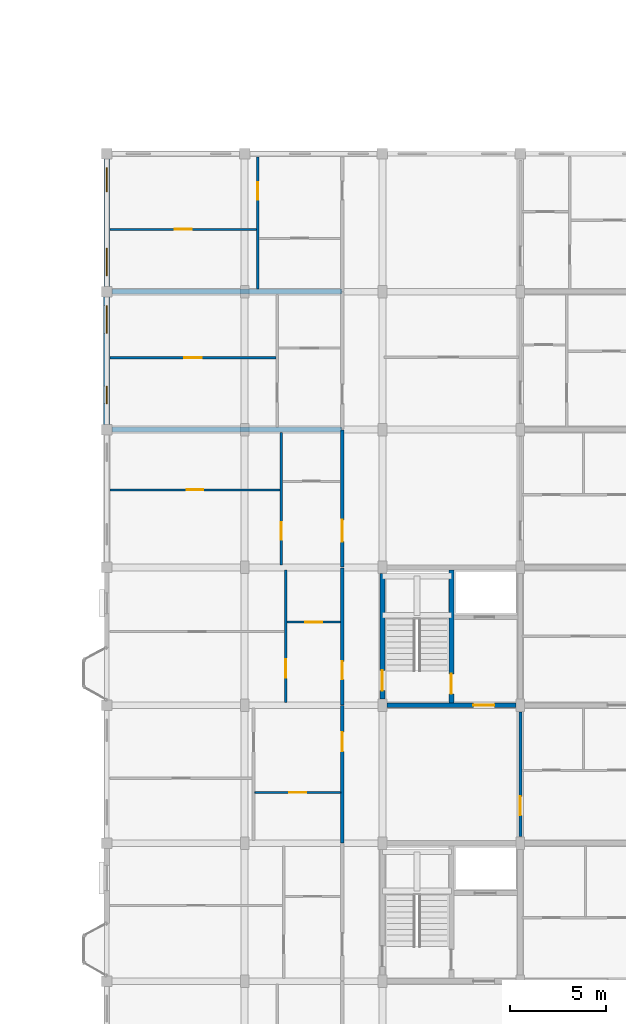
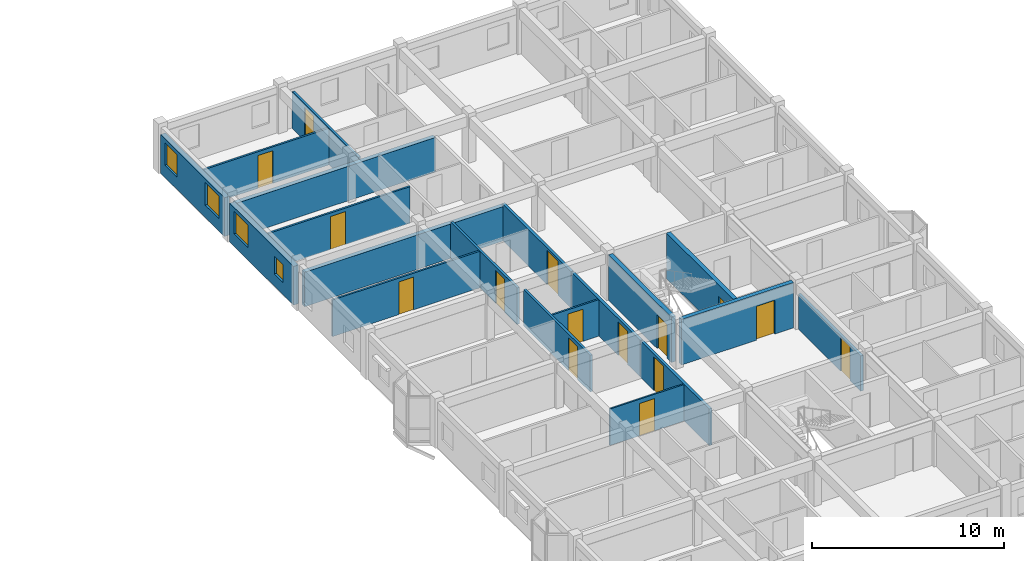
# One storey, part 62 of 77: 19 walls, 15 doors, 4 windows, 19 openings.
"""IFC4 building model written with IfcOpenShell, lengths in metres."""

from ifc_helpers import new_model, si_unit, direction, frame, frame_2d, origin, place, context, subcontext, project, spatial, rectangle, extrude, material, layer, layer_set, type_object, element, fill, save


model = new_model("IFC4")

# Units and contexts
model_context = context("Model", 3, precision=1e-05, world=origin(), true_north=direction((0.0, 1.0)))
body_context = subcontext(model_context, "Body", "Model", "MODEL_VIEW")
ifc_project = project(units=[si_unit("LENGTHUNIT", "METRE"), si_unit("AREAUNIT", "SQUARE_METRE"), si_unit("VOLUMEUNIT", "CUBIC_METRE"), si_unit("PLANEANGLEUNIT", "RADIAN"), si_unit("MASSUNIT", "GRAM", prefix="KILO"), si_unit("THERMODYNAMICTEMPERATUREUNIT", "KELVIN"), si_unit("POWERUNIT", "WATT")], contexts=[model_context])

# Site, building, storey
site_placement = place(None, origin())
site = spatial("IfcSite", under=ifc_project, at=site_placement, CompositionType="ELEMENT")
building_placement = place(site_placement, origin())
building = spatial("IfcBuilding", under=site, at=building_placement, Name="Tavuni Mirador Residences", CompositionType="ELEMENT")
storey_placement = place(building_placement, frame((0.0, 0.0, 10.800048828125)))
storey = spatial("IfcBuildingStorey", under=building, at=storey_placement, Name="L03", CompositionType="ELEMENT", Elevation=10.800048828125)

# Wall, opening, door
ifc_material_1 = material(Name="Precast concrete C40/50", Category="concrete")
ifc_layer_1 = layer(ifc_material_1, 0.25, Name="Precast concrete C40/50", Category="concrete")
ifc_layer_set_1 = layer_set([ifc_layer_1], Name="Precast concrete C40/50")
wall_type_1 = type_object("IfcWallType", Name="WT-COR250", PredefinedType="SHEAR", material=ifc_layer_set_1)
wall_1_placement = place(storey_placement, frame((104.39990234375, 108.324951171875, 0.0), z_axis=(0.0, 0.0, 1.0), x_axis=(0.0, 1.0, 0.0)))
wall_1 = element("IfcWall", 1, at=wall_1_placement, inside=storey, type_object=wall_type_1, Name="CWALL-C8-L03-W", PredefinedType="SHEAR", context=body_context, shape_type="SweptSolid", body=[
    extrude(rectangle(XDim=6.550048828125, YDim=0.25, at=frame_2d((3.27490234375, 0.0))), origin(), (0.0, 0.0, 1.0), 2.889892578125),
])
opening_1_placement = place(wall_1_placement, frame((0.449951171875, 0.0, 0.0)))
opening_1 = element("IfcOpeningElement", 2, at=opening_1_placement, cuts=wall_1, Name="Opening D-01", PredefinedType="OPENING", context=body_context, shape_type="SweptSolid", body=[
    extrude(rectangle(XDim=1.050048828125, YDim=2.14990234375, at=frame_2d((0.52490234375, 1.074951171875))), frame((0.0, 0.135009765625, 0.0), z_axis=(0.0, -1.0, 0.0), x_axis=(1.0, 0.0, 0.0)), (0.0, 0.0, 1.0), 0.27001953125),
])
ifc_material_2 = material(Name="Solid core iroko timber", Category="wood")
door_type_1 = type_object("IfcDoorType", Name="DT-ST1050", OperationType="NOTDEFINED", PredefinedType="DOOR", material=ifc_material_2)
door_1_placement = place(opening_1_placement, origin())
door_1 = element("IfcDoor", 3, at=door_1_placement, inside=storey, type_object=door_type_1, Name="DR-2325", OperationType="SINGLE_SWING_RIGHT", OverallHeight=2.14990234375, OverallWidth=1.050048828125, PredefinedType="DOOR", context=body_context, shape_type="SweptSolid", body=[
    extrude(rectangle(XDim=1.050048828125, YDim=2.14990234375, at=frame_2d((0.52490234375, 1.074951171875))), frame((0.0, 0.02490234375, 0.0), z_axis=(0.0, -1.0, 0.0), x_axis=(1.0, 0.0, 0.0)), (0.0, 0.0, 1.0), 0.050048828125),
])
fill(opening_1, door_1)

wall_2_placement = place(storey_placement, frame((104.625, 108.0, 0.0), z_axis=(0.0, 0.0, 1.0), x_axis=(1.0, 0.0, 0.0)))
wall_2 = element("IfcWall", 4, at=wall_2_placement, inside=storey, type_object=wall_type_1, Name="CWALL-C8-L03-SS", PredefinedType="SHEAR", context=body_context, shape_type="SweptSolid", body=[
    extrude(rectangle(XDim=6.75, YDim=0.25, at=frame_2d((3.375, 0.0))), origin(), (0.0, 0.0, 1.0), 2.889892578125),
])
opening_2_placement = place(wall_2_placement, frame((4.52490234375, 0.0, 0.0)))
opening_2 = element("IfcOpeningElement", 5, at=opening_2_placement, cuts=wall_2, Name="Opening D-02", PredefinedType="OPENING", context=body_context, shape_type="SweptSolid", body=[
    extrude(rectangle(XDim=1.10009765625, YDim=2.14990234375, at=frame_2d((0.550048828125, 1.074951171875))), frame((0.0, 0.135009765625, 0.0), z_axis=(0.0, -1.0, 0.0), x_axis=(1.0, 0.0, 0.0)), (0.0, 0.0, 1.0), 0.27001953125),
])
door_type_2 = type_object("IfcDoorType", Name="DT-LOB1100", OperationType="NOTDEFINED", PredefinedType="DOOR", material=ifc_material_2)
door_2_placement = place(opening_2_placement, frame((1.10009765625, 0.0, 0.0), z_axis=(0.0, 0.0, 1.0), x_axis=(-1.0, 0.0, 0.0)))
door_2 = element("IfcDoor", 6, at=door_2_placement, inside=storey, type_object=door_type_2, Name="DR-2326", OperationType="SINGLE_SWING_RIGHT", OverallHeight=2.14990234375, OverallWidth=1.10009765625, PredefinedType="DOOR", context=body_context, shape_type="SweptSolid", body=[
    extrude(rectangle(XDim=1.10009765625, YDim=2.14990234375, at=frame_2d((0.550048828125, 1.074951171875))), frame((0.0, 0.02490234375, 0.0), z_axis=(0.0, -1.0, 0.0), x_axis=(1.0, 0.0, 0.0)), (0.0, 0.0, 1.0), 0.050048828125),
])
fill(opening_2, door_2)

wall_3_placement = place(storey_placement, frame((108.0, 108.125, 0.0), z_axis=(0.0, 0.0, 1.0), x_axis=(0.0, 1.0, 0.0)))
wall_3 = element("IfcWall", 7, at=wall_3_placement, inside=storey, type_object=wall_type_1, Name="CWALL-C8-L03-MID", PredefinedType="SHEAR", context=body_context, shape_type="SweptSolid", body=[
    extrude(rectangle(XDim=6.949951171875, YDim=0.25, at=frame_2d((3.47509765625, 0.0))), origin(), (0.0, 0.0, 1.0), 2.889892578125),
])
opening_3_placement = place(wall_3_placement, frame((0.47509765625, 0.0, 0.0)))
opening_3 = element("IfcOpeningElement", 8, at=opening_3_placement, cuts=wall_3, Name="Opening D-01", PredefinedType="OPENING", context=body_context, shape_type="SweptSolid", body=[
    extrude(rectangle(XDim=1.050048828125, YDim=2.14990234375, at=frame_2d((0.52490234375, 1.074951171875))), frame((0.0, 0.135009765625, 0.0), z_axis=(0.0, -1.0, 0.0), x_axis=(1.0, 0.0, 0.0)), (0.0, 0.0, 1.0), 0.27001953125),
])
door_3_placement = place(opening_3_placement, origin())
door_3 = element("IfcDoor", 9, at=door_3_placement, inside=storey, type_object=door_type_1, Name="DR-2327", OperationType="SINGLE_SWING_LEFT", OverallHeight=2.14990234375, OverallWidth=1.050048828125, PredefinedType="DOOR", context=body_context, shape_type="SweptSolid", body=[
    extrude(rectangle(XDim=1.050048828125, YDim=2.14990234375, at=frame_2d((0.52490234375, 1.074951171875))), frame((0.0, 0.02490234375, 0.0), z_axis=(0.0, -1.0, 0.0), x_axis=(1.0, 0.0, 0.0)), (0.0, 0.0, 1.0), 0.050048828125),
])
fill(opening_3, door_3)

ifc_layer_2 = layer(ifc_material_1, 0.1650390625, Name="Precast concrete C40/50", Category="concrete")
ifc_layer_set_2 = layer_set([ifc_layer_2], Name="Precast concrete C40/50")
wall_type_2 = type_object("IfcWallType", Name="WT-CORR165", PredefinedType="PARTITIONING", material=ifc_layer_set_2)
wall_4_placement = place(storey_placement, frame((102.300048828125, 100.820068359375, 0.0), z_axis=(0.0, 0.0, 1.0), x_axis=(0.0, 1.0, 0.0)))
wall_4 = element("IfcWall", 10, at=wall_4_placement, inside=storey, type_object=wall_type_2, Name="CORW-BLK-D-L03-0-02", PredefinedType="PARTITIONING", context=body_context, shape_type="SweptSolid", body=[
    extrude(rectangle(XDim=7.159912109375, YDim=0.1650390625, at=frame_2d((3.580078125, 0.0))), origin(), (0.0, 0.0, 1.0), 2.324951171875),
])
opening_4_placement = place(wall_4_placement, frame((4.780029296875, 0.0, 0.0)))
opening_4 = element("IfcOpeningElement", 11, at=opening_4_placement, cuts=wall_4, Name="Opening D-03", PredefinedType="OPENING", context=body_context, shape_type="SweptSolid", body=[
    extrude(rectangle(XDim=1.0, YDim=2.14990234375, at=frame_2d((0.5, 1.074951171875))), frame((0.0, 0.092529296875, 0.0), z_axis=(0.0, -1.0, 0.0), x_axis=(1.0, 0.0, 0.0)), (0.0, 0.0, 1.0), 0.18505859375),
])
door_type_3 = type_object("IfcDoorType", Name="DT-FD60-1000", OperationType="NOTDEFINED", PredefinedType="DOOR", material=ifc_material_2)
door_4_placement = place(opening_4_placement, origin())
door_4 = element("IfcDoor", 12, at=door_4_placement, inside=storey, type_object=door_type_3, Name="DR-2847", OperationType="SINGLE_SWING_RIGHT", OverallHeight=2.14990234375, OverallWidth=1.0, PredefinedType="DOOR", context=body_context, shape_type="SweptSolid", body=[
    extrude(rectangle(XDim=1.0, YDim=2.14990234375, at=frame_2d((0.5, 1.074951171875))), frame((0.0, 0.02490234375, 0.0), z_axis=(0.0, -1.0, 0.0), x_axis=(1.0, 0.0, 0.0)), (0.0, 0.0, 1.0), 0.050048828125),
])
fill(opening_4, door_4)

wall_5_placement = place(storey_placement, frame((102.300048828125, 108.02001953125, 0.0), z_axis=(0.0, 0.0, 1.0), x_axis=(0.0, 1.0, 0.0)))
wall_5 = element("IfcWall", 13, at=wall_5_placement, inside=storey, type_object=wall_type_2, Name="CORW-BLK-D-L03-0-03", PredefinedType="PARTITIONING", context=body_context, shape_type="SweptSolid", body=[
    extrude(rectangle(XDim=7.159912109375, YDim=0.1650390625, at=frame_2d((3.580078125, 0.0))), origin(), (0.0, 0.0, 1.0), 2.324951171875),
])
opening_5_placement = place(wall_5_placement, frame((1.330078125, 0.0, 0.0)))
opening_5 = element("IfcOpeningElement", 14, at=opening_5_placement, cuts=wall_5, Name="Opening D-19", PredefinedType="OPENING", context=body_context, shape_type="SweptSolid", body=[
    extrude(rectangle(XDim=0.93994140625, YDim=2.1201171875, at=frame_2d((0.469970703125, 1.06005859375))), frame((0.0, 0.092529296875, 0.0), z_axis=(0.0, -1.0, 0.0), x_axis=(1.0, 0.0, 0.0)), (0.0, 0.0, 1.0), 0.18505859375),
])
door_type_4 = type_object("IfcDoorType", Name="DT-FD60-940", OperationType="NOTDEFINED", PredefinedType="DOOR", material=ifc_material_2)
door_5_placement = place(opening_5_placement, origin())
door_5 = element("IfcDoor", 15, at=door_5_placement, inside=storey, type_object=door_type_4, Name="DR-2848", OperationType="SINGLE_SWING_LEFT", OverallHeight=2.1201171875, OverallWidth=0.93994140625, PredefinedType="DOOR", context=body_context, shape_type="SweptSolid", body=[
    extrude(rectangle(XDim=0.93994140625, YDim=2.1201171875, at=frame_2d((0.469970703125, 1.06005859375))), frame((0.0, 0.02490234375, 0.0), z_axis=(0.0, -1.0, 0.0), x_axis=(1.0, 0.0, 0.0)), (0.0, 0.0, 1.0), 0.050048828125),
])
fill(opening_5, door_5)

wall_6_placement = place(storey_placement, frame((102.300048828125, 115.219970703125, 0.0), z_axis=(0.0, 0.0, 1.0), x_axis=(0.0, 1.0, 0.0)))
wall_6 = element("IfcWall", 16, at=wall_6_placement, inside=storey, type_object=wall_type_2, Name="CORW-BLK-D-L03-0-04", PredefinedType="PARTITIONING", context=body_context, shape_type="SweptSolid", body=[
    extrude(rectangle(XDim=7.159912109375, YDim=0.1650390625, at=frame_2d((3.580078125, 0.0))), origin(), (0.0, 0.0, 1.0), 2.324951171875),
])
opening_6_placement = place(wall_6_placement, frame((1.330078125, 0.0, 0.0)))
opening_6 = element("IfcOpeningElement", 17, at=opening_6_placement, cuts=wall_6, Name="Opening D-20", PredefinedType="OPENING", context=body_context, shape_type="SweptSolid", body=[
    extrude(rectangle(XDim=1.139892578125, YDim=2.179931640625, at=frame_2d((0.56982421875, 1.08984375))), frame((0.0, 0.092529296875, 0.0), z_axis=(0.0, -1.0, 0.0), x_axis=(1.0, 0.0, 0.0)), (0.0, 0.0, 1.0), 0.18505859375),
])
door_type_5 = type_object("IfcDoorType", Name="DT-FD60-1140", OperationType="NOTDEFINED", PredefinedType="DOOR", material=ifc_material_2)
door_6_placement = place(opening_6_placement, origin())
door_6 = element("IfcDoor", 18, at=door_6_placement, inside=storey, type_object=door_type_5, Name="DR-2849", OperationType="SINGLE_SWING_RIGHT", OverallHeight=2.179931640625, OverallWidth=1.139892578125, PredefinedType="DOOR", context=body_context, shape_type="SweptSolid", body=[
    extrude(rectangle(XDim=1.139892578125, YDim=2.179931640625, at=frame_2d((0.56982421875, 1.08984375))), frame((0.0, 0.02490234375, 0.0), z_axis=(0.0, -1.0, 0.0), x_axis=(1.0, 0.0, 0.0)), (0.0, 0.0, 1.0), 0.050048828125),
])
fill(opening_6, door_6)

wall_7_placement = place(storey_placement, frame((111.60009765625, 101.14990234375, 0.0), z_axis=(0.0, 0.0, 1.0), x_axis=(0.0, 1.0, 0.0)))
wall_7 = element("IfcWall", 19, at=wall_7_placement, inside=storey, type_object=wall_type_2, Name="CORW-BLK-D-L03-1-02", PredefinedType="PARTITIONING", context=body_context, shape_type="SweptSolid", body=[
    extrude(rectangle(XDim=6.5, YDim=0.1650390625, at=frame_2d((3.25, 0.0))), origin(), (0.0, 0.0, 1.0), 2.239990234375),
])
opening_7_placement = place(wall_7_placement, frame((1.10009765625, 0.0, 0.0)))
opening_7 = element("IfcOpeningElement", 20, at=opening_7_placement, cuts=wall_7, Name="Opening D-03", PredefinedType="OPENING", context=body_context, shape_type="SweptSolid", body=[
    extrude(rectangle(XDim=1.0, YDim=2.14990234375, at=frame_2d((0.5, 1.074951171875))), frame((0.0, 0.092529296875, 0.0), z_axis=(0.0, -1.0, 0.0), x_axis=(1.0, 0.0, 0.0)), (0.0, 0.0, 1.0), 0.18505859375),
])
door_7_placement = place(opening_7_placement, origin())
door_7 = element("IfcDoor", 21, at=door_7_placement, inside=storey, type_object=door_type_3, Name="DR-2853", OperationType="SINGLE_SWING_RIGHT", OverallHeight=2.14990234375, OverallWidth=1.0, PredefinedType="DOOR", context=body_context, shape_type="SweptSolid", body=[
    extrude(rectangle(XDim=1.0, YDim=2.14990234375, at=frame_2d((0.5, 1.074951171875))), frame((0.0, 0.02490234375, 0.0), z_axis=(0.0, -1.0, 0.0), x_axis=(1.0, 0.0, 0.0)), (0.0, 0.0, 1.0), 0.050048828125),
])
fill(opening_7, door_7)

# Wall, openings, windows
ifc_material_3 = material(Name="Sgraffito lime-rendered precast concrete C40/50", Category="concrete")
ifc_layer_3 = layer(ifc_material_3, 0.304931640625, Name="Sgraffito lime-rendered precast concrete C40/50", Category="concrete")
ifc_layer_set_3 = layer_set([ifc_layer_3], Name="Sgraffito lime-rendered precast concrete C40/50")
wall_type_3 = type_object("IfcWallType", Name="WT-EXT-PC305", PredefinedType="SOLIDWALL", material=ifc_layer_set_3)
wall_8_placement = place(storey_placement, frame((90.0, 136.52490234375, 0.0), z_axis=(0.0, 0.0, 1.0), x_axis=(0.0, -1.0, 0.0)))
wall_8 = element("IfcWall", 22, at=wall_8_placement, inside=storey, type_object=wall_type_3, Name="EW-BLK-D-L03-W06", PredefinedType="SOLIDWALL", context=body_context, shape_type="SweptSolid", body=[
    extrude(rectangle(XDim=6.64990234375, YDim=0.304931640625, at=frame_2d((3.324951171875, 0.0))), origin(), (0.0, 0.0, 1.0), 2.4599609375),
])
opening_8_placement = place(wall_8_placement, frame((0.449951171875, 0.0, 0.780029296875)))
opening_8 = element("IfcOpeningElement", 23, at=opening_8_placement, cuts=wall_8, Name="Opening WN-28", PredefinedType="OPENING", context=body_context, shape_type="SweptSolid", body=[
    extrude(rectangle(XDim=1.25, YDim=1.43994140625, at=frame_2d((0.625, 0.719970703125))), frame((0.0, 0.16259765625, 0.0), z_axis=(0.0, -1.0, 0.0), x_axis=(1.0, 0.0, 0.0)), (0.0, 0.0, 1.0), 0.324951171875),
])
opening_9_placement = place(wall_8_placement, frame((4.64990234375, 0.0, 0.780029296875)))
opening_9 = element("IfcOpeningElement", 24, at=opening_9_placement, cuts=wall_8, Name="Opening WN-30", PredefinedType="OPENING", context=body_context, shape_type="SweptSolid", body=[
    extrude(rectangle(XDim=1.449951171875, YDim=1.43994140625, at=frame_2d((0.72509765625, 0.719970703125))), frame((0.0, 0.16259765625, 0.0), z_axis=(0.0, -1.0, 0.0), x_axis=(1.0, 0.0, 0.0)), (0.0, 0.0, 1.0), 0.324951171875),
])
ifc_material_4 = material(Name="Laminated solar-control glass", Category="glass")
window_type_1 = type_object("IfcWindowType", Name="WNT-28", PartitioningType="SINGLE_PANEL", PredefinedType="WINDOW", material=ifc_material_4)
window_1_placement = place(opening_8_placement, origin())
window_1 = element("IfcWindow", 25, at=window_1_placement, inside=storey, type_object=window_type_1, Name="WIN-1554", OverallHeight=1.43994140625, OverallWidth=1.25, PartitioningType="SINGLE_PANEL", PredefinedType="WINDOW", context=body_context, shape_type="SweptSolid", body=[
    extrude(rectangle(XDim=1.25, YDim=1.43994140625, at=frame_2d((0.625, 0.719970703125))), frame((0.0, 0.030029296875, 0.0), z_axis=(0.0, -1.0, 0.0), x_axis=(1.0, 0.0, 0.0)), (0.0, 0.0, 1.0), 0.06005859375),
])
fill(opening_8, window_1)
window_type_2 = type_object("IfcWindowType", Name="WNT-30", PartitioningType="SINGLE_PANEL", PredefinedType="WINDOW", material=ifc_material_4)
window_2_placement = place(opening_9_placement, origin())
window_2 = element("IfcWindow", 26, at=window_2_placement, inside=storey, type_object=window_type_2, Name="WIN-1555", OverallHeight=1.43994140625, OverallWidth=1.449951171875, PartitioningType="SINGLE_PANEL", PredefinedType="WINDOW", context=body_context, shape_type="SweptSolid", body=[
    extrude(rectangle(XDim=1.449951171875, YDim=1.43994140625, at=frame_2d((0.72509765625, 0.719970703125))), frame((0.0, 0.030029296875, 0.0), z_axis=(0.0, -1.0, 0.0), x_axis=(1.0, 0.0, 0.0)), (0.0, 0.0, 1.0), 0.06005859375),
])
fill(opening_9, window_2)

ifc_layer_4 = layer(ifc_material_3, 0.31494140625, Name="Sgraffito lime-rendered precast concrete C40/50", Category="concrete")
ifc_layer_set_4 = layer_set([ifc_layer_4], Name="Sgraffito lime-rendered precast concrete C40/50")
wall_type_4 = type_object("IfcWallType", Name="WT-EXT-PC315", PredefinedType="SOLIDWALL", material=ifc_layer_set_4)
wall_9_placement = place(storey_placement, frame((90.0, 129.324951171875, 0.0), z_axis=(0.0, 0.0, 1.0), x_axis=(0.0, -1.0, 0.0)))
wall_9 = element("IfcWall", 27, at=wall_9_placement, inside=storey, type_object=wall_type_4, Name="EW-BLK-D-L03-W05", PredefinedType="SOLIDWALL", context=body_context, shape_type="SweptSolid", body=[
    extrude(rectangle(XDim=6.64990234375, YDim=0.31494140625, at=frame_2d((3.324951171875, 0.0))), origin(), (0.0, 0.0, 1.0), 2.4599609375),
])
opening_10_placement = place(wall_9_placement, frame((0.449951171875, 0.0, 0.780029296875)))
opening_10 = element("IfcOpeningElement", 28, at=opening_10_placement, cuts=wall_9, Name="Opening WN-30", PredefinedType="OPENING", context=body_context, shape_type="SweptSolid", body=[
    extrude(rectangle(XDim=1.449951171875, YDim=1.43994140625, at=frame_2d((0.72509765625, 0.719970703125))), frame((0.0, 0.16748046875, 0.0), z_axis=(0.0, -1.0, 0.0), x_axis=(1.0, 0.0, 0.0)), (0.0, 0.0, 1.0), 0.3349609375),
])
opening_11_placement = place(wall_9_placement, frame((4.64990234375, 0.0, 0.780029296875)))
opening_11 = element("IfcOpeningElement", 29, at=opening_11_placement, cuts=wall_9, Name="Opening WN-02", PredefinedType="OPENING", context=body_context, shape_type="SweptSolid", body=[
    extrude(rectangle(XDim=0.919921875, YDim=1.14990234375, at=frame_2d((0.4599609375, 0.574951171875))), frame((0.0, 0.16748046875, 0.0), z_axis=(0.0, -1.0, 0.0), x_axis=(1.0, 0.0, 0.0)), (0.0, 0.0, 1.0), 0.3349609375),
])
window_type_3 = type_object("IfcWindowType", Name="WNT-02", PartitioningType="SINGLE_PANEL", PredefinedType="WINDOW", material=ifc_material_4)
window_3_placement = place(opening_11_placement, origin())
window_3 = element("IfcWindow", 30, at=window_3_placement, inside=storey, type_object=window_type_3, Name="WIN-1557", OverallHeight=1.14990234375, OverallWidth=0.919921875, PartitioningType="SINGLE_PANEL", PredefinedType="WINDOW", context=body_context, shape_type="SweptSolid", body=[
    extrude(rectangle(XDim=0.919921875, YDim=1.14990234375, at=frame_2d((0.4599609375, 0.574951171875))), frame((0.0, 0.030029296875, 0.0), z_axis=(0.0, -1.0, 0.0), x_axis=(1.0, 0.0, 0.0)), (0.0, 0.0, 1.0), 0.06005859375),
])
fill(opening_11, window_3)
window_4_placement = place(opening_10_placement, origin())
window_4 = element("IfcWindow", 31, at=window_4_placement, inside=storey, type_object=window_type_2, Name="WIN-1556", OverallHeight=1.43994140625, OverallWidth=1.449951171875, PartitioningType="SINGLE_PANEL", PredefinedType="WINDOW", context=body_context, shape_type="SweptSolid", body=[
    extrude(rectangle(XDim=1.449951171875, YDim=1.43994140625, at=frame_2d((0.72509765625, 0.719970703125))), frame((0.0, 0.030029296875, 0.0), z_axis=(0.0, -1.0, 0.0), x_axis=(1.0, 0.0, 0.0)), (0.0, 0.0, 1.0), 0.06005859375),
])
fill(opening_10, window_4)

# Wall, opening, door
ifc_material_5 = material(Name="Acoustic gypsum and concrete block partition", Category="concrete")
ifc_layer_5 = layer(ifc_material_5, 0.094970703125, Name="Acoustic gypsum and concrete block partition", Category="concrete")
ifc_layer_set_5 = layer_set([ifc_layer_5], Name="Acoustic gypsum and concrete block partition")
wall_type_5 = type_object("IfcWallType", Name="WT-PART095", PredefinedType="PARTITIONING", material=ifc_layer_set_5)
wall_10_placement = place(storey_placement, frame((97.739990234375, 103.449951171875, 0.0), z_axis=(0.0, 0.0, 1.0), x_axis=(1.0, 0.0, 0.0)))
wall_10 = element("IfcWall", 32, at=wall_10_placement, inside=storey, type_object=wall_type_5, Name="PW-BLK-D-L03-W02-IN1", PredefinedType="PARTITIONING", context=body_context, shape_type="SweptSolid", body=[
    extrude(rectangle(XDim=4.469970703125, YDim=0.094970703125, at=frame_2d((2.23486328125, 0.0))), origin(), (0.0, 0.0, 1.0), 2.324951171875),
])
opening_12_placement = place(wall_10_placement, frame((1.784912109375, 0.0, 0.0)))
opening_12 = element("IfcOpeningElement", 33, at=opening_12_placement, cuts=wall_10, Name="Opening D-09", PredefinedType="OPENING", context=body_context, shape_type="SweptSolid", body=[
    extrude(rectangle(XDim=0.89990234375, YDim=2.050048828125, at=frame_2d((0.449951171875, 1.02490234375))), frame((0.0, 0.0576171875, 0.0), z_axis=(0.0, -1.0, 0.0), x_axis=(1.0, 0.0, 0.0)), (0.0, 0.0, 1.0), 0.114990234375),
])
door_type_6 = type_object("IfcDoorType", Name="DT-WC900", OperationType="NOTDEFINED", PredefinedType="DOOR", material=ifc_material_2)
door_8_placement = place(opening_12_placement, origin())
door_8 = element("IfcDoor", 34, at=door_8_placement, inside=storey, type_object=door_type_6, Name="DR-4404", OperationType="SINGLE_SWING_RIGHT", OverallHeight=2.050048828125, OverallWidth=0.89990234375, PredefinedType="DOOR", context=body_context, shape_type="SweptSolid", body=[
    extrude(rectangle(XDim=0.89990234375, YDim=2.050048828125, at=frame_2d((0.449951171875, 1.02490234375))), frame((0.0, 0.02490234375, 0.0), z_axis=(0.0, -1.0, 0.0), x_axis=(1.0, 0.0, 0.0)), (0.0, 0.0, 1.0), 0.050048828125),
])
fill(opening_12, door_8)

ifc_layer_6 = layer(ifc_material_5, 0.10498046875, Name="Acoustic gypsum and concrete block partition", Category="concrete")
ifc_layer_set_6 = layer_set([ifc_layer_6], Name="Acoustic gypsum and concrete block partition")
wall_type_6 = type_object("IfcWallType", Name="WT-PART105", PredefinedType="PARTITIONING", material=ifc_layer_set_6)
wall_11_placement = place(storey_placement, frame((99.419921875, 112.35009765625, 0.0), z_axis=(0.0, 0.0, 1.0), x_axis=(1.0, 0.0, 0.0)))
wall_11 = element("IfcWall", 35, at=wall_11_placement, inside=storey, type_object=wall_type_6, Name="PW-BLK-D-L03-W03-IN1", PredefinedType="PARTITIONING", context=body_context, shape_type="SweptSolid", body=[
    extrude(rectangle(XDim=2.7900390625, YDim=0.10498046875, at=frame_2d((1.39501953125, 0.0))), origin(), (0.0, 0.0, 1.0), 2.324951171875),
])
opening_13_placement = place(wall_11_placement, frame((0.945068359375, 0.0, 0.0)))
opening_13 = element("IfcOpeningElement", 36, at=opening_13_placement, cuts=wall_11, Name="Opening D-09", PredefinedType="OPENING", context=body_context, shape_type="SweptSolid", body=[
    extrude(rectangle(XDim=0.89990234375, YDim=2.050048828125, at=frame_2d((0.449951171875, 1.02490234375))), frame((0.0, 0.0625, 0.0), z_axis=(0.0, -1.0, 0.0), x_axis=(1.0, 0.0, 0.0)), (0.0, 0.0, 1.0), 0.125),
])
door_9_placement = place(opening_13_placement, origin())
door_9 = element("IfcDoor", 37, at=door_9_placement, inside=storey, type_object=door_type_6, Name="DR-4409", OperationType="SINGLE_SWING_RIGHT", OverallHeight=2.050048828125, OverallWidth=0.89990234375, PredefinedType="DOOR", context=body_context, shape_type="SweptSolid", body=[
    extrude(rectangle(XDim=0.89990234375, YDim=2.050048828125, at=frame_2d((0.449951171875, 1.02490234375))), frame((0.0, 0.02490234375, 0.0), z_axis=(0.0, -1.0, 0.0), x_axis=(1.0, 0.0, 0.0)), (0.0, 0.0, 1.0), 0.050048828125),
])
fill(opening_13, door_9)

ifc_layer_7 = layer(ifc_material_5, 0.114990234375, Name="Acoustic gypsum and concrete block partition", Category="concrete")
ifc_layer_set_7 = layer_set([ifc_layer_7], Name="Acoustic gypsum and concrete block partition")
wall_type_7 = type_object("IfcWallType", Name="WT-PART115", PredefinedType="PARTITIONING", material=ifc_layer_set_7)
wall_12_placement = place(storey_placement, frame((90.175048828125, 119.25, 0.0), z_axis=(0.0, 0.0, 1.0), x_axis=(1.0, 0.0, 0.0)))
wall_12 = element("IfcWall", 38, at=wall_12_placement, inside=storey, type_object=wall_type_7, Name="PW-BLK-D-L03-W04-OUT", PredefinedType="PARTITIONING", context=body_context, shape_type="SweptSolid", body=[
    extrude(rectangle(XDim=8.875, YDim=0.114990234375, at=frame_2d((4.4375, 0.0))), origin(), (0.0, 0.0, 1.0), 2.324951171875),
])
opening_14_placement = place(wall_12_placement, frame((3.99755859375, 0.0, 0.0)))
opening_14 = element("IfcOpeningElement", 39, at=opening_14_placement, cuts=wall_12, Name="Opening D-08", PredefinedType="OPENING", context=body_context, shape_type="SweptSolid", body=[
    extrude(rectangle(XDim=0.8798828125, YDim=2.080078125, at=frame_2d((0.43994140625, 1.0400390625))), frame((0.0, 0.0673828125, 0.0), z_axis=(0.0, -1.0, 0.0), x_axis=(1.0, 0.0, 0.0)), (0.0, 0.0, 1.0), 0.135009765625),
])
door_type_7 = type_object("IfcDoorType", Name="DT-BED880", OperationType="NOTDEFINED", PredefinedType="DOOR", material=ifc_material_2)
door_10_placement = place(opening_14_placement, origin())
door_10 = element("IfcDoor", 40, at=door_10_placement, inside=storey, type_object=door_type_7, Name="DR-4412", OperationType="SINGLE_SWING_RIGHT", OverallHeight=2.080078125, OverallWidth=0.8798828125, PredefinedType="DOOR", context=body_context, shape_type="SweptSolid", body=[
    extrude(rectangle(XDim=0.8798828125, YDim=2.080078125, at=frame_2d((0.43994140625, 1.0400390625))), frame((0.0, 0.02490234375, 0.0), z_axis=(0.0, -1.0, 0.0), x_axis=(1.0, 0.0, 0.0)), (0.0, 0.0, 1.0), 0.050048828125),
])
fill(opening_14, door_10)

wall_13_placement = place(storey_placement, frame((90.175048828125, 126.14990234375, 0.0), z_axis=(0.0, 0.0, 1.0), x_axis=(1.0, 0.0, 0.0)))
wall_13 = element("IfcWall", 41, at=wall_13_placement, inside=storey, type_object=wall_type_7, Name="PW-BLK-D-L03-W05-OUT", PredefinedType="PARTITIONING", context=body_context, shape_type="SweptSolid", body=[
    extrude(rectangle(XDim=8.655029296875, YDim=0.114990234375, at=frame_2d((4.32763671875, 0.0))), origin(), (0.0, 0.0, 1.0), 2.324951171875),
])
opening_15_placement = place(wall_13_placement, frame((3.87744140625, 0.0, 0.0)))
opening_15 = element("IfcOpeningElement", 42, at=opening_15_placement, cuts=wall_13, Name="Opening D-07", PredefinedType="OPENING", context=body_context, shape_type="SweptSolid", body=[
    extrude(rectangle(XDim=0.89990234375, YDim=2.10009765625, at=frame_2d((0.449951171875, 1.050048828125))), frame((0.0, 0.0673828125, 0.0), z_axis=(0.0, -1.0, 0.0), x_axis=(1.0, 0.0, 0.0)), (0.0, 0.0, 1.0), 0.135009765625),
])
door_type_8 = type_object("IfcDoorType", Name="DT-BED900", OperationType="NOTDEFINED", PredefinedType="DOOR", material=ifc_material_2)
door_11_placement = place(opening_15_placement, origin())
door_11 = element("IfcDoor", 43, at=door_11_placement, inside=storey, type_object=door_type_8, Name="DR-4418", OperationType="SINGLE_SWING_LEFT", OverallHeight=2.10009765625, OverallWidth=0.89990234375, PredefinedType="DOOR", context=body_context, shape_type="SweptSolid", body=[
    extrude(rectangle(XDim=0.89990234375, YDim=2.10009765625, at=frame_2d((0.449951171875, 1.050048828125))), frame((0.0, 0.02490234375, 0.0), z_axis=(0.0, -1.0, 0.0), x_axis=(1.0, 0.0, 0.0)), (0.0, 0.0, 1.0), 0.050048828125),
])
fill(opening_15, door_11)

wall_14_placement = place(storey_placement, frame((90.175048828125, 132.85009765625, 0.0), z_axis=(0.0, 0.0, 1.0), x_axis=(1.0, 0.0, 0.0)))
wall_14 = element("IfcWall", 44, at=wall_14_placement, inside=storey, type_object=wall_type_7, Name="PW-BLK-D-L03-W06-OUT", PredefinedType="PARTITIONING", context=body_context, shape_type="SweptSolid", body=[
    extrude(rectangle(XDim=7.64501953125, YDim=0.114990234375, at=frame_2d((3.822509765625, 0.0))), origin(), (0.0, 0.0, 1.0), 2.324951171875),
])
opening_16_placement = place(wall_14_placement, frame((3.382568359375, 0.0, 0.0)))
opening_16 = element("IfcOpeningElement", 45, at=opening_16_placement, cuts=wall_14, Name="Opening D-08", PredefinedType="OPENING", context=body_context, shape_type="SweptSolid", body=[
    extrude(rectangle(XDim=0.8798828125, YDim=2.080078125, at=frame_2d((0.43994140625, 1.0400390625))), frame((0.0, 0.0673828125, 0.0), z_axis=(0.0, -1.0, 0.0), x_axis=(1.0, 0.0, 0.0)), (0.0, 0.0, 1.0), 0.135009765625),
])
door_12_placement = place(opening_16_placement, origin())
door_12 = element("IfcDoor", 46, at=door_12_placement, inside=storey, type_object=door_type_7, Name="DR-4424", OperationType="SINGLE_SWING_RIGHT", OverallHeight=2.080078125, OverallWidth=0.8798828125, PredefinedType="DOOR", context=body_context, shape_type="SweptSolid", body=[
    extrude(rectangle(XDim=0.8798828125, YDim=2.080078125, at=frame_2d((0.43994140625, 1.0400390625))), frame((0.0, 0.02490234375, 0.0), z_axis=(0.0, -1.0, 0.0), x_axis=(1.0, 0.0, 0.0)), (0.0, 0.0, 1.0), 0.050048828125),
])
fill(opening_16, door_12)

ifc_layer_8 = layer(ifc_material_5, 0.139892578125, Name="Acoustic gypsum and concrete block partition", Category="concrete")
ifc_layer_set_8 = layer_set([ifc_layer_8], Name="Acoustic gypsum and concrete block partition")
wall_type_8 = type_object("IfcWallType", Name="WT-PART140", PredefinedType="PARTITIONING", material=ifc_layer_set_8)
wall_15_placement = place(storey_placement, frame((99.35009765625, 108.139892578125, 0.0), z_axis=(0.0, 0.0, 1.0), x_axis=(0.0, 1.0, 0.0)))
wall_15 = element("IfcWall", 47, at=wall_15_placement, inside=storey, type_object=wall_type_8, Name="PW-BLK-D-L03-W03-MID", PredefinedType="PARTITIONING", context=body_context, shape_type="SweptSolid", body=[
    extrude(rectangle(XDim=6.920166015625, YDim=0.139892578125, at=frame_2d((3.4599609375, 0.0))), origin(), (0.0, 0.0, 1.0), 2.324951171875),
])
opening_17_placement = place(wall_15_placement, frame((1.31005859375, 0.0, 0.0)))
opening_17 = element("IfcOpeningElement", 48, at=opening_17_placement, cuts=wall_15, Name="Opening D-05", PredefinedType="OPENING", context=body_context, shape_type="SweptSolid", body=[
    extrude(rectangle(XDim=0.949951171875, YDim=2.10009765625, at=frame_2d((0.47509765625, 1.050048828125))), frame((0.0, 0.080078125, 0.0), z_axis=(0.0, -1.0, 0.0), x_axis=(1.0, 0.0, 0.0)), (0.0, 0.0, 1.0), 0.159912109375),
])
door_type_9 = type_object("IfcDoorType", Name="DT-INT950", OperationType="NOTDEFINED", PredefinedType="DOOR", material=ifc_material_2)
door_13_placement = place(opening_17_placement, origin())
door_13 = element("IfcDoor", 49, at=door_13_placement, inside=storey, type_object=door_type_9, Name="DR-4410", OperationType="SINGLE_SWING_LEFT", OverallHeight=2.10009765625, OverallWidth=0.949951171875, PredefinedType="DOOR", context=body_context, shape_type="SweptSolid", body=[
    extrude(rectangle(XDim=0.949951171875, YDim=2.10009765625, at=frame_2d((0.47509765625, 1.050048828125))), frame((0.0, 0.02490234375, 0.0), z_axis=(0.0, -1.0, 0.0), x_axis=(1.0, 0.0, 0.0)), (0.0, 0.0, 1.0), 0.050048828125),
])
fill(opening_17, door_13)

wall_16_placement = place(storey_placement, frame((99.1201171875, 115.340087890625, 0.0), z_axis=(0.0, 0.0, 1.0), x_axis=(0.0, 1.0, 0.0)))
wall_16 = element("IfcWall", 50, at=wall_16_placement, inside=storey, type_object=wall_type_8, Name="PW-BLK-D-L03-W04-MID", PredefinedType="PARTITIONING", context=body_context, shape_type="SweptSolid", body=[
    extrude(rectangle(XDim=6.919921875, YDim=0.139892578125, at=frame_2d((3.4599609375, 0.0))), origin(), (0.0, 0.0, 1.0), 2.324951171875),
])
opening_18_placement = place(wall_16_placement, frame((1.31005859375, 0.0, 0.0)))
opening_18 = element("IfcOpeningElement", 51, at=opening_18_placement, cuts=wall_16, Name="Opening D-06", PredefinedType="OPENING", context=body_context, shape_type="SweptSolid", body=[
    extrude(rectangle(XDim=0.919921875, YDim=2.10009765625, at=frame_2d((0.4599609375, 1.050048828125))), frame((0.0, 0.080078125, 0.0), z_axis=(0.0, -1.0, 0.0), x_axis=(1.0, 0.0, 0.0)), (0.0, 0.0, 1.0), 0.159912109375),
])
door_type_10 = type_object("IfcDoorType", Name="DT-INT920", OperationType="NOTDEFINED", PredefinedType="DOOR", material=ifc_material_2)
door_14_placement = place(opening_18_placement, origin())
door_14 = element("IfcDoor", 52, at=door_14_placement, inside=storey, type_object=door_type_10, Name="DR-4414", OperationType="SINGLE_SWING_RIGHT", OverallHeight=2.10009765625, OverallWidth=0.919921875, PredefinedType="DOOR", context=body_context, shape_type="SweptSolid", body=[
    extrude(rectangle(XDim=0.919921875, YDim=2.10009765625, at=frame_2d((0.4599609375, 1.050048828125))), frame((0.0, 0.02490234375, 0.0), z_axis=(0.0, -1.0, 0.0), x_axis=(1.0, 0.0, 0.0)), (0.0, 0.0, 1.0), 0.050048828125),
])
fill(opening_18, door_14)

wall_17_placement = place(storey_placement, frame((97.889892578125, 129.739990234375, 0.0), z_axis=(0.0, 0.0, 1.0), x_axis=(0.0, 1.0, 0.0)))
wall_17 = element("IfcWall", 53, at=wall_17_placement, inside=storey, type_object=wall_type_8, Name="PW-BLK-D-L03-W06-MID", PredefinedType="PARTITIONING", context=body_context, shape_type="SweptSolid", body=[
    extrude(rectangle(XDim=6.885009765625, YDim=0.139892578125, at=frame_2d((3.4423828125, 0.0))), origin(), (0.0, 0.0, 1.0), 2.324951171875),
])
opening_19_placement = place(wall_17_placement, frame((4.659912109375, 0.0, 0.0)))
opening_19 = element("IfcOpeningElement", 54, at=opening_19_placement, cuts=wall_17, Name="Opening D-06", PredefinedType="OPENING", context=body_context, shape_type="SweptSolid", body=[
    extrude(rectangle(XDim=0.919921875, YDim=2.10009765625, at=frame_2d((0.4599609375, 1.050048828125))), frame((0.0, 0.080078125, 0.0), z_axis=(0.0, -1.0, 0.0), x_axis=(1.0, 0.0, 0.0)), (0.0, 0.0, 1.0), 0.159912109375),
])
door_15_placement = place(opening_19_placement, origin())
door_15 = element("IfcDoor", 55, at=door_15_placement, inside=storey, type_object=door_type_10, Name="DR-4426", OperationType="SINGLE_SWING_RIGHT", OverallHeight=2.10009765625, OverallWidth=0.919921875, PredefinedType="DOOR", context=body_context, shape_type="SweptSolid", body=[
    extrude(rectangle(XDim=0.919921875, YDim=2.10009765625, at=frame_2d((0.4599609375, 1.050048828125))), frame((0.0, 0.02490234375, 0.0), z_axis=(0.0, -1.0, 0.0), x_axis=(1.0, 0.0, 0.0)), (0.0, 0.0, 1.0), 0.050048828125),
])
fill(opening_19, door_15)

# Walls
ifc_layer_9 = layer(ifc_material_1, 0.264892578125, Name="Precast concrete C40/50", Category="concrete")
ifc_layer_set_9 = layer_set([ifc_layer_9], Name="Precast concrete C40/50")
wall_type_9 = type_object("IfcWallType", Name="WT-XW265", PredefinedType="SOLIDWALL", material=ifc_layer_set_9)
for number, where, z_axis, x_axis, name in (
    (56, (90.27490234375, 122.39990234375, 0.0), (0.0, 0.0, 1.0), (1.0, 0.0, 0.0), "XW-BLK-D-L03-W-05"),
    (57, (90.27490234375, 129.60009765625, 0.0), (0.0, 0.0, 1.0), (1.0, 0.0, 0.0), "XW-BLK-D-L03-W-06"),
):
    element("IfcWall", number, at=place(storey_placement, frame(where, z_axis=z_axis, x_axis=x_axis)), inside=storey, type_object=wall_type_9, Name=name, PredefinedType="SOLIDWALL", context=body_context, shape_type="SweptSolid", body=[
        extrude(rectangle(XDim=12.025146484375, YDim=0.264892578125, at=frame_2d((6.0126953125, 0.0))), origin(), (0.0, 0.0, 1.0), 2.18994140625),
    ])

save(model, "model.ifc")
